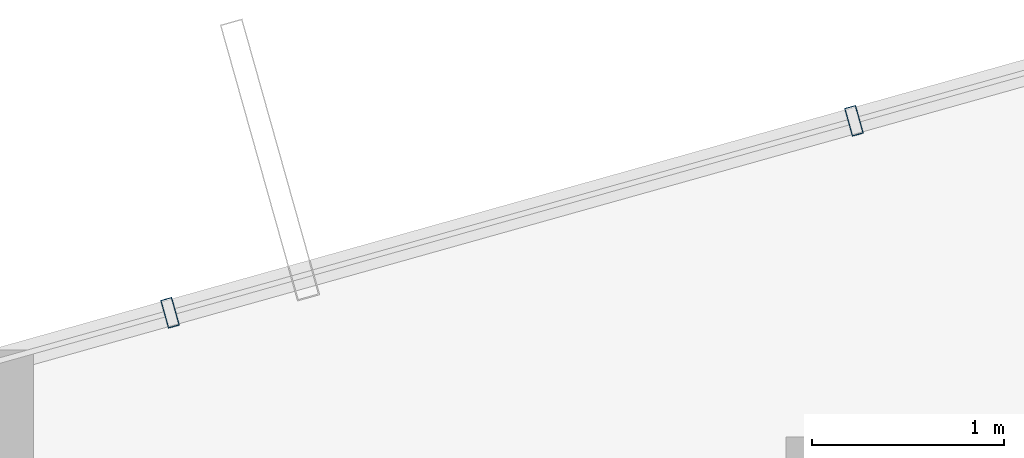
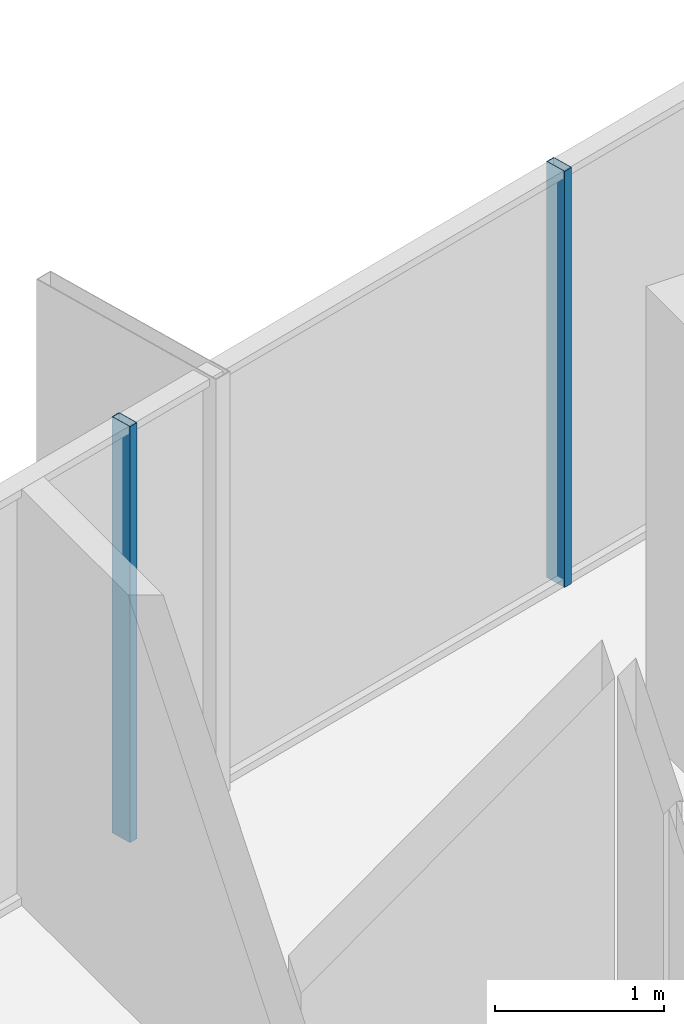
# One storey, part 21 of 29: 2 members, 1 element without a shape of its own.
"""IFC4 building model written with IfcOpenShell, lengths in metres."""

import ifcopenshell
import ifcopenshell.guid

model = None  # the IFC model being written
_history = None  # IfcOwnerHistory: only IFC2X3 demands one
_inside = {}  # id of a spatial element -> (the spatial element, [elements in it])
_under = {}  # id of a project, library or spatial element -> (it, [spatial elements below it])
_declared = {}  # id of a project -> (the project, [libraries it declares])
_typed = {}  # id of a type object -> (the type object, [elements of that type])
_made_of = {}  # id of a material, layer set ... -> (it, [elements and type objects made of it])


def new_model(schema):
    """Start an empty IFC model of exactly this schema.

    Asked for "IFC4X3", IfcOpenShell would pick the latest addendum, in which some entities
    have other attributes; the version numbers below select the first issue.
    IFC2X3 requires an IfcOwnerHistory on every rooted entity: one is made here for all.
    """
    global model, _history
    if schema == "IFC4X3":
        model = ifcopenshell.file(schema_version=(4, 3, 0, 0))
    else:
        model = ifcopenshell.file(schema=schema)
    _inside.clear()
    _under.clear()
    _declared.clear()
    _typed.clear()
    _made_of.clear()
    _history = None
    if model.schema == "IFC2X3":
        org = make("IfcOrganization", Name="unknown")
        user = make(
            "IfcPersonAndOrganization",
            ThePerson=make("IfcPerson", FamilyName="unknown"),
            TheOrganization=org,
        )
        app = make(
            "IfcApplication",
            ApplicationDeveloper=org,
            Version="unknown",
            ApplicationFullName="unknown",
            ApplicationIdentifier="unknown",
        )
        _history = make(
            "IfcOwnerHistory",
            OwningUser=user,
            OwningApplication=app,
            ChangeAction="ADDED",
            CreationDate=0,
        )
    return model


def make(cls, **values):
    """One entity of the class cls with the attributes given. An attribute that is None is left unset."""
    return model.create_entity(
        cls, **{name: value for name, value in values.items() if value is not None}
    )


def rooted(cls, **values):
    """An entity with a GlobalId (a new one), such as an element, a storey or a relation."""
    return make(cls, GlobalId=ifcopenshell.guid.new(), OwnerHistory=_history, **values)


def si_unit(unit_type, name, prefix=None):
    """IfcSIUnit, for example si_unit("LENGTHUNIT", "METRE", prefix="MILLI")."""
    return make("IfcSIUnit", UnitType=unit_type, Prefix=prefix, Name=name)


def assignment(units):
    """IfcUnitAssignment: the units of a project."""
    return None if units is None else make("IfcUnitAssignment", Units=units)


def point(xyz):
    """IfcCartesianPoint."""
    return None if xyz is None else make("IfcCartesianPoint", Coordinates=xyz)


def direction(xyz):
    """IfcDirection."""
    return None if xyz is None else make("IfcDirection", DirectionRatios=xyz)


def frame(location, z_axis=None, x_axis=None):
    """IfcAxis2Placement3D, a coordinate frame: its origin and axes. An axis left out is left unset."""
    return make(
        "IfcAxis2Placement3D",
        Location=point(location),
        Axis=direction(z_axis),
        RefDirection=direction(x_axis),
    )


def frame_2d(location, x_axis=None):
    """IfcAxis2Placement2D, a coordinate frame in the plane: its origin and x axis."""
    return make(
        "IfcAxis2Placement2D", Location=point(location), RefDirection=direction(x_axis)
    )


def origin():
    """The frame at (0, 0, 0) with its axes left unset."""
    return frame((0.0, 0.0, 0.0))


def origin_2d():
    """The frame at (0, 0) in the plane with its x axis left unset."""
    return frame_2d((0.0, 0.0))


def place(relative_to, where):
    """IfcLocalPlacement: puts the frame where relative to a parent placement (None: the world)."""
    return make(
        "IfcLocalPlacement", PlacementRelTo=relative_to, RelativePlacement=where
    )


def context(
    kind, dimensions, precision=None, world=None, true_north=None, identifier=None
):
    """IfcGeometricRepresentationContext, for example the 3D "Model" context."""
    return make(
        "IfcGeometricRepresentationContext",
        ContextIdentifier=identifier,
        ContextType=kind,
        CoordinateSpaceDimension=dimensions,
        Precision=precision,
        WorldCoordinateSystem=world,
        TrueNorth=true_north,
    )


def subcontext(parent, identifier, kind, view, scale=None):
    """IfcGeometricRepresentationSubContext, for example "Body" below "Model"."""
    return make(
        "IfcGeometricRepresentationSubContext",
        ContextIdentifier=identifier,
        ContextType=kind,
        ParentContext=parent,
        TargetScale=scale,
        TargetView=view,
    )


def project(units=None, contexts=None):
    """IfcProject with its units and contexts."""
    return rooted(
        "IfcProject",
        Name="project",
        RepresentationContexts=contexts,
        UnitsInContext=assignment(units),
    )


def spatial(cls, under=None, at=None, **own):
    """A site, building, storey or space (cls), placed at a placement, below another one or the project."""
    s = rooted(cls, ObjectPlacement=at, **own)
    if under is not None:
        _under.setdefault(under.id(), (under, []))[1].append(s)
    return s


def profile(cls, at=None, kind="AREA", **sizes):
    """A parametric profile (cls). Its sizes go by their IFC names, for example OverallWidth=200.0."""
    return make(cls, ProfileType=kind, Position=at, **sizes)


def hollow_rectangle(**sizes):
    """IfcRectangleHollowProfileDef."""
    return profile("IfcRectangleHollowProfileDef", **sizes)


def extrude(swept, where, along, depth):
    """IfcExtrudedAreaSolid: the profile swept, set in the frame where, extruded along a direction by depth."""
    return make(
        "IfcExtrudedAreaSolid",
        SweptArea=swept,
        Position=where,
        ExtrudedDirection=direction(along),
        Depth=depth,
    )


def shape(context_of_items, identifier, shape_type, items):
    """IfcShapeRepresentation: the items that make up one representation, for example the "Body"."""
    return make(
        "IfcShapeRepresentation",
        ContextOfItems=context_of_items,
        RepresentationIdentifier=identifier,
        RepresentationType=shape_type,
        Items=items,
    )


def source(mapping_origin, context_of_items, identifier, shape_type, items):
    """IfcRepresentationMap: a shape defined once, which mapped items show again and again."""
    return make(
        "IfcRepresentationMap",
        MappingOrigin=mapping_origin,
        MappedRepresentation=shape(context_of_items, identifier, shape_type, items),
    )


def transform(
    local_origin,
    x_axis=None,
    y_axis=None,
    z_axis=None,
    scale=None,
    scale2=None,
    scale3=None,
    uniform=True,
):
    """IfcCartesianTransformationOperator3D, or its non-uniform kind. x_axis, y_axis, z_axis: its Axis1, 2, 3."""
    if uniform:
        return make(
            "IfcCartesianTransformationOperator3D",
            Axis1=direction(x_axis),
            Axis2=direction(y_axis),
            LocalOrigin=point(local_origin),
            Scale=scale,
            Axis3=direction(z_axis),
        )
    return make(
        "IfcCartesianTransformationOperator3DnonUniform",
        Axis1=direction(x_axis),
        Axis2=direction(y_axis),
        LocalOrigin=point(local_origin),
        Scale=scale,
        Axis3=direction(z_axis),
        Scale2=scale2,
        Scale3=scale3,
    )


def mapped(mapping_source, mapping_target):
    """IfcMappedItem: shows the shape of a source again, moved by a transform."""
    return make(
        "IfcMappedItem", MappingSource=mapping_source, MappingTarget=mapping_target
    )


def material(Name=None, Category=None):
    """IfcMaterial."""
    return make("IfcMaterial", Name=Name, Category=Category)


def layer(
    of_material, thickness, ventilated=None, Name=None, Category=None, Priority=None
):
    """IfcMaterialLayer: one layer of a wall or slab, of a material (None: an air gap)."""
    return make(
        "IfcMaterialLayer",
        Material=of_material,
        LayerThickness=thickness,
        IsVentilated=ventilated,
        Name=Name,
        Category=Category,
        Priority=Priority,
    )


def layer_set(layers, Name=None):
    """IfcMaterialLayerSet."""
    return make("IfcMaterialLayerSet", MaterialLayers=layers, LayerSetName=Name)


def material_profile(
    of_material, cross_section, Name=None, Category=None, Priority=None
):
    """IfcMaterialProfile: a cross section and its material."""
    return make(
        "IfcMaterialProfile",
        Name=Name,
        Material=of_material,
        Profile=cross_section,
        Priority=Priority,
        Category=Category,
    )


def profile_set(profiles, Name=None, composite=None):
    """IfcMaterialProfileSet."""
    return make(
        "IfcMaterialProfileSet",
        Name=Name,
        MaterialProfiles=profiles,
        CompositeProfile=composite,
    )


def made_of(thing, what):
    """Note that an element or type object is made of a material, layer set ...; save() writes the relation."""
    if what is not None:
        _made_of.setdefault(what.id(), (what, []))[1].append(thing)
    return thing


def type_object(cls, material=None, **own):
    """A type object (cls), such as IfcWallType, which elements share."""
    return made_of(rooted(cls, **own), material)


def element(
    cls,
    number,
    at=None,
    inside=None,
    cuts=None,
    type_object=None,
    material=None,
    context=None,
    identifier="Body",
    shape_type=None,
    held_by="IfcProductDefinitionShape",
    body=None,
    shapes=None,
    **own,
):
    """One element of the class cls, such as IfcWall. Its Tag is "e" and its number.

    at: its placement. inside: the storey or other place that contains it. cuts: it is an
    opening in that element (IfcRelVoidsElement). A single representation is given by context,
    identifier, shape_type and body (its items); several are given by shapes. held_by: the class
    of the entity that holds the representations. save() writes the other relations.
    """
    e = rooted(cls, Tag="e%d" % number, ObjectPlacement=at, **own)
    if body is not None:
        shapes = [shape(context, identifier, shape_type, body)]
    if shapes is not None:
        e.Representation = make(held_by, Representations=shapes)
    if inside is not None:
        _inside.setdefault(inside.id(), (inside, []))[1].append(e)
    if cuts is not None:
        rooted(
            "IfcRelVoidsElement", RelatingBuildingElement=cuts, RelatedOpeningElement=e
        )
    if type_object is not None:
        _typed.setdefault(type_object.id(), (type_object, []))[1].append(e)
    return made_of(e, material)


def aggregate(whole, parts):
    """IfcRelAggregates: a whole, such as a stair, and the parts it consists of."""
    return rooted("IfcRelAggregates", RelatingObject=whole, RelatedObjects=parts)


def save(model, path):
    """Write the relations noted so far, then the file.

    IfcRelAggregates (storeys below a building ...), IfcRelContainedInSpatialStructure (elements
    in a storey), IfcRelDefinesByType, IfcRelAssociatesMaterial and IfcRelDeclares: one each for
    every whole, place, type object, material and project.
    """
    for whole, parts in _under.values():
        aggregate(whole, parts)
    for where, things in _inside.values():
        rooted(
            "IfcRelContainedInSpatialStructure",
            RelatedElements=things,
            RelatingStructure=where,
        )
    for kind, things in _typed.values():
        rooted("IfcRelDefinesByType", RelatedObjects=things, RelatingType=kind)
    for what, things in _made_of.values():
        rooted("IfcRelAssociatesMaterial", RelatedObjects=things, RelatingMaterial=what)
    for by, libraries in _declared.values():
        rooted("IfcRelDeclares", RelatingContext=by, RelatedDefinitions=libraries)
    model.write(path)


model = new_model("IFC4")

# Units and contexts
model_context = context("Model", 3, precision=1e-05, world=origin(), true_north=direction((0.0, 1.0)))
body_context = subcontext(model_context, "Body", "Model", "MODEL_VIEW")
ifc_project = project(units=[si_unit("LENGTHUNIT", "METRE"), si_unit("AREAUNIT", "SQUARE_METRE"), si_unit("VOLUMEUNIT", "CUBIC_METRE"), si_unit("PLANEANGLEUNIT", "RADIAN"), si_unit("MASSUNIT", "GRAM", prefix="KILO")], contexts=[model_context])

# Site, building, storey
site_placement = place(None, origin())
site = spatial("IfcSite", under=ifc_project, at=site_placement, CompositionType="ELEMENT")
building_placement = place(site_placement, origin())
building = spatial("IfcBuilding", under=site, at=building_placement, Name="Veraguas Prism Commons", CompositionType="ELEMENT")
storey_placement = place(building_placement, frame((0.0, 0.0, 257.75)))
storey = spatial("IfcBuildingStorey", under=building, at=storey_placement, Name="L73", CompositionType="ELEMENT", Elevation=257.75)

# Curtain wall, members
ifc_material = material(Name="Anodised aluminium EN AW-6063 T6", Category="aluminium")
ifc_layer = layer(ifc_material, 0.14990234375, Name="Unitised Flush Curtain Wall Zone 4", Category="aluminium")
ifc_layer_set = layer_set([ifc_layer], Name="Anodised aluminium EN AW-6063 T6")
curtain_wall_type = type_object("IfcCurtainWallType", Name="Unitised Flush Curtain Wall Zone 4", PredefinedType="NOTDEFINED", material=ifc_layer_set)
curtain_wall_placement = place(storey_placement, origin())
curtain_wall = element("IfcCurtainWall", 1, at=curtain_wall_placement, inside=storey, type_object=curtain_wall_type, Name="Tower Facade Curtain Wall L73-F2", PredefinedType="NOTDEFINED")
ifc_material_profile = material_profile(ifc_material, hollow_rectangle(XDim=0.06005859375, YDim=0.14990234375, WallThickness=0.0029296875, at=origin_2d()), Name="AL60X150X3")
ifc_profile_set = profile_set([ifc_material_profile], Name="Anodised aluminium EN AW-6063 T6")
member_type = type_object("IfcMemberType", Name="Curtain Wall Mullion Upper AL 60x150x3", PredefinedType="MULLION", material=ifc_profile_set)
shared_shape = source(origin(), body_context, "Body", "SweptSolid", [
    extrude(hollow_rectangle(XDim=0.06005859375, YDim=0.14990234375, WallThickness=0.0029296875, at=origin_2d()), origin(), (0.0, 0.0, 1.0), 3.014892578125),
])
member_1_placement = place(storey_placement, frame((19.552978515625, 39.842041015625, 0.0), z_axis=(0.0, 0.0, 1.0), x_axis=(-0.962784730035, -0.270269427816, 0.0)))
member_1 = element("IfcMember", 2, at=member_1_placement, type_object=member_type, Name="CW-Z4 Mullion 3", PredefinedType="MULLION", context=body_context, shape_type="MappedRepresentation", body=[
    mapped(shared_shape, transform((0.0, 0.0, 0.0), scale=1.0)),
])
member_2_placement = place(storey_placement, frame((15.998779296875, 38.844482421875, 0.0), z_axis=(0.0, 0.0, 1.0), x_axis=(-0.962784730035, -0.270269427816, 0.0)))
member_2 = element("IfcMember", 3, at=member_2_placement, type_object=member_type, Name="CW-Z4 Mullion 4", PredefinedType="MULLION", context=body_context, shape_type="MappedRepresentation", body=[
    mapped(shared_shape, transform((0.0, 0.0, 0.0), scale=1.0)),
])
aggregate(curtain_wall, [member_1, member_2])

save(model, "model.ifc")
